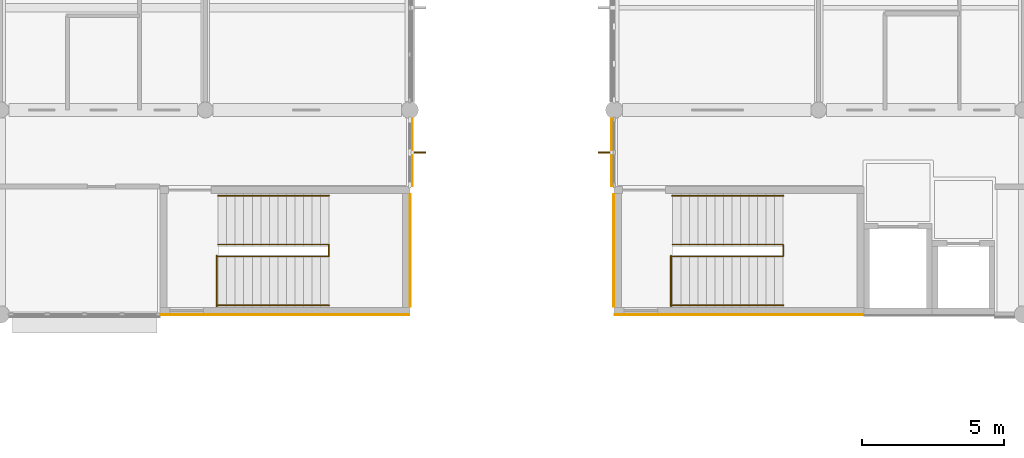
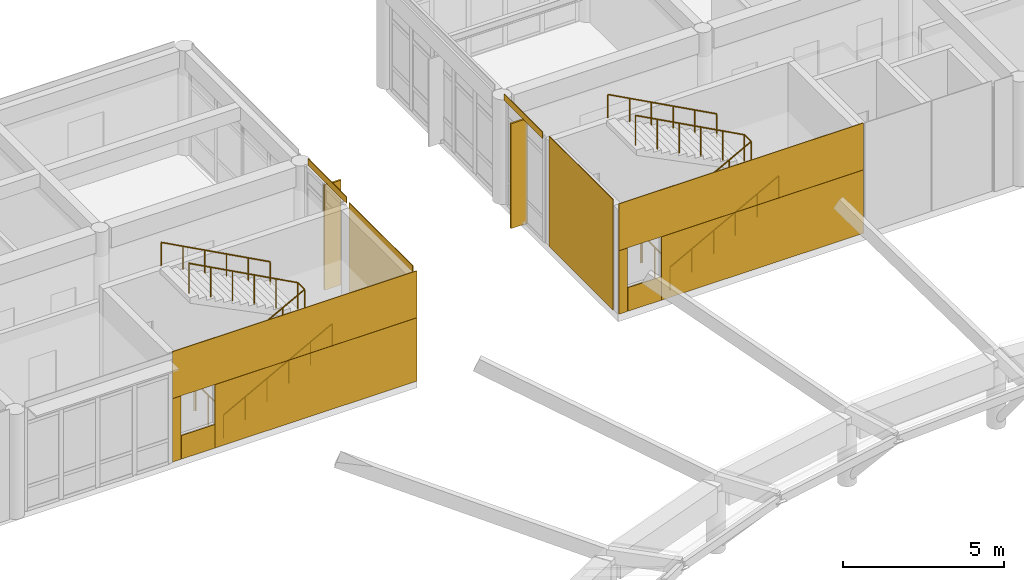
# One storey, part 33 of 37: 12 coverings, 8 railings, 2 shading devices.
"""IFC4 building model written with IfcOpenShell, lengths in metres."""

import ifcopenshell
import ifcopenshell.guid

model = None  # the IFC model being written
_history = None  # IfcOwnerHistory: only IFC2X3 demands one
_inside = {}  # id of a spatial element -> (the spatial element, [elements in it])
_under = {}  # id of a project, library or spatial element -> (it, [spatial elements below it])
_declared = {}  # id of a project -> (the project, [libraries it declares])
_typed = {}  # id of a type object -> (the type object, [elements of that type])
_made_of = {}  # id of a material, layer set ... -> (it, [elements and type objects made of it])


def new_model(schema):
    """Start an empty IFC model of exactly this schema.

    Asked for "IFC4X3", IfcOpenShell would pick the latest addendum, in which some entities
    have other attributes; the version numbers below select the first issue.
    IFC2X3 requires an IfcOwnerHistory on every rooted entity: one is made here for all.
    """
    global model, _history
    if schema == "IFC4X3":
        model = ifcopenshell.file(schema_version=(4, 3, 0, 0))
    else:
        model = ifcopenshell.file(schema=schema)
    _inside.clear()
    _under.clear()
    _declared.clear()
    _typed.clear()
    _made_of.clear()
    _history = None
    if model.schema == "IFC2X3":
        org = make("IfcOrganization", Name="unknown")
        user = make(
            "IfcPersonAndOrganization",
            ThePerson=make("IfcPerson", FamilyName="unknown"),
            TheOrganization=org,
        )
        app = make(
            "IfcApplication",
            ApplicationDeveloper=org,
            Version="unknown",
            ApplicationFullName="unknown",
            ApplicationIdentifier="unknown",
        )
        _history = make(
            "IfcOwnerHistory",
            OwningUser=user,
            OwningApplication=app,
            ChangeAction="ADDED",
            CreationDate=0,
        )
    return model


def make(cls, **values):
    """One entity of the class cls with the attributes given. An attribute that is None is left unset."""
    return model.create_entity(
        cls, **{name: value for name, value in values.items() if value is not None}
    )


def rooted(cls, **values):
    """An entity with a GlobalId (a new one), such as an element, a storey or a relation."""
    return make(cls, GlobalId=ifcopenshell.guid.new(), OwnerHistory=_history, **values)


def si_unit(unit_type, name, prefix=None):
    """IfcSIUnit, for example si_unit("LENGTHUNIT", "METRE", prefix="MILLI")."""
    return make("IfcSIUnit", UnitType=unit_type, Prefix=prefix, Name=name)


def assignment(units):
    """IfcUnitAssignment: the units of a project."""
    return None if units is None else make("IfcUnitAssignment", Units=units)


def point(xyz):
    """IfcCartesianPoint."""
    return None if xyz is None else make("IfcCartesianPoint", Coordinates=xyz)


def direction(xyz):
    """IfcDirection."""
    return None if xyz is None else make("IfcDirection", DirectionRatios=xyz)


def frame(location, z_axis=None, x_axis=None):
    """IfcAxis2Placement3D, a coordinate frame: its origin and axes. An axis left out is left unset."""
    return make(
        "IfcAxis2Placement3D",
        Location=point(location),
        Axis=direction(z_axis),
        RefDirection=direction(x_axis),
    )


def frame_2d(location, x_axis=None):
    """IfcAxis2Placement2D, a coordinate frame in the plane: its origin and x axis."""
    return make(
        "IfcAxis2Placement2D", Location=point(location), RefDirection=direction(x_axis)
    )


def origin():
    """The frame at (0, 0, 0) with its axes left unset."""
    return frame((0.0, 0.0, 0.0))


def origin_2d():
    """The frame at (0, 0) in the plane with its x axis left unset."""
    return frame_2d((0.0, 0.0))


def place(relative_to, where):
    """IfcLocalPlacement: puts the frame where relative to a parent placement (None: the world)."""
    return make(
        "IfcLocalPlacement", PlacementRelTo=relative_to, RelativePlacement=where
    )


def context(
    kind, dimensions, precision=None, world=None, true_north=None, identifier=None
):
    """IfcGeometricRepresentationContext, for example the 3D "Model" context."""
    return make(
        "IfcGeometricRepresentationContext",
        ContextIdentifier=identifier,
        ContextType=kind,
        CoordinateSpaceDimension=dimensions,
        Precision=precision,
        WorldCoordinateSystem=world,
        TrueNorth=true_north,
    )


def subcontext(parent, identifier, kind, view, scale=None):
    """IfcGeometricRepresentationSubContext, for example "Body" below "Model"."""
    return make(
        "IfcGeometricRepresentationSubContext",
        ContextIdentifier=identifier,
        ContextType=kind,
        ParentContext=parent,
        TargetScale=scale,
        TargetView=view,
    )


def project(units=None, contexts=None):
    """IfcProject with its units and contexts."""
    return rooted(
        "IfcProject",
        Name="project",
        RepresentationContexts=contexts,
        UnitsInContext=assignment(units),
    )


def spatial(cls, under=None, at=None, **own):
    """A site, building, storey or space (cls), placed at a placement, below another one or the project."""
    s = rooted(cls, ObjectPlacement=at, **own)
    if under is not None:
        _under.setdefault(under.id(), (under, []))[1].append(s)
    return s


def profile(cls, at=None, kind="AREA", **sizes):
    """A parametric profile (cls). Its sizes go by their IFC names, for example OverallWidth=200.0."""
    return make(cls, ProfileType=kind, Position=at, **sizes)


def rectangle(**sizes):
    """IfcRectangleProfileDef."""
    return profile("IfcRectangleProfileDef", **sizes)


def circle(**sizes):
    """IfcCircleProfileDef."""
    return profile("IfcCircleProfileDef", **sizes)


def extrude(swept, where, along, depth):
    """IfcExtrudedAreaSolid: the profile swept, set in the frame where, extruded along a direction by depth."""
    return make(
        "IfcExtrudedAreaSolid",
        SweptArea=swept,
        Position=where,
        ExtrudedDirection=direction(along),
        Depth=depth,
    )


def shape(context_of_items, identifier, shape_type, items):
    """IfcShapeRepresentation: the items that make up one representation, for example the "Body"."""
    return make(
        "IfcShapeRepresentation",
        ContextOfItems=context_of_items,
        RepresentationIdentifier=identifier,
        RepresentationType=shape_type,
        Items=items,
    )


def material(Name=None, Category=None):
    """IfcMaterial."""
    return make("IfcMaterial", Name=Name, Category=Category)


def layer(
    of_material, thickness, ventilated=None, Name=None, Category=None, Priority=None
):
    """IfcMaterialLayer: one layer of a wall or slab, of a material (None: an air gap)."""
    return make(
        "IfcMaterialLayer",
        Material=of_material,
        LayerThickness=thickness,
        IsVentilated=ventilated,
        Name=Name,
        Category=Category,
        Priority=Priority,
    )


def layer_set(layers, Name=None):
    """IfcMaterialLayerSet."""
    return make("IfcMaterialLayerSet", MaterialLayers=layers, LayerSetName=Name)


def made_of(thing, what):
    """Note that an element or type object is made of a material, layer set ...; save() writes the relation."""
    if what is not None:
        _made_of.setdefault(what.id(), (what, []))[1].append(thing)
    return thing


def type_object(cls, material=None, **own):
    """A type object (cls), such as IfcWallType, which elements share."""
    return made_of(rooted(cls, **own), material)


def element(
    cls,
    number,
    at=None,
    inside=None,
    cuts=None,
    type_object=None,
    material=None,
    context=None,
    identifier="Body",
    shape_type=None,
    held_by="IfcProductDefinitionShape",
    body=None,
    shapes=None,
    **own,
):
    """One element of the class cls, such as IfcWall. Its Tag is "e" and its number.

    at: its placement. inside: the storey or other place that contains it. cuts: it is an
    opening in that element (IfcRelVoidsElement). A single representation is given by context,
    identifier, shape_type and body (its items); several are given by shapes. held_by: the class
    of the entity that holds the representations. save() writes the other relations.
    """
    e = rooted(cls, Tag="e%d" % number, ObjectPlacement=at, **own)
    if body is not None:
        shapes = [shape(context, identifier, shape_type, body)]
    if shapes is not None:
        e.Representation = make(held_by, Representations=shapes)
    if inside is not None:
        _inside.setdefault(inside.id(), (inside, []))[1].append(e)
    if cuts is not None:
        rooted(
            "IfcRelVoidsElement", RelatingBuildingElement=cuts, RelatedOpeningElement=e
        )
    if type_object is not None:
        _typed.setdefault(type_object.id(), (type_object, []))[1].append(e)
    return made_of(e, material)


def aggregate(whole, parts):
    """IfcRelAggregates: a whole, such as a stair, and the parts it consists of."""
    return rooted("IfcRelAggregates", RelatingObject=whole, RelatedObjects=parts)


def save(model, path):
    """Write the relations noted so far, then the file.

    IfcRelAggregates (storeys below a building ...), IfcRelContainedInSpatialStructure (elements
    in a storey), IfcRelDefinesByType, IfcRelAssociatesMaterial and IfcRelDeclares: one each for
    every whole, place, type object, material and project.
    """
    for whole, parts in _under.values():
        aggregate(whole, parts)
    for where, things in _inside.values():
        rooted(
            "IfcRelContainedInSpatialStructure",
            RelatedElements=things,
            RelatingStructure=where,
        )
    for kind, things in _typed.values():
        rooted("IfcRelDefinesByType", RelatedObjects=things, RelatingType=kind)
    for what, things in _made_of.values():
        rooted("IfcRelAssociatesMaterial", RelatedObjects=things, RelatingMaterial=what)
    for by, libraries in _declared.values():
        rooted("IfcRelDeclares", RelatingContext=by, RelatedDefinitions=libraries)
    model.write(path)


model = new_model("IFC4")

# Units and contexts
model_context = context("Model", 3, precision=1e-05, world=origin(), true_north=direction((0.0, 1.0)))
body_context = subcontext(model_context, "Body", "Model", "MODEL_VIEW")
ifc_project = project(units=[si_unit("LENGTHUNIT", "METRE"), si_unit("AREAUNIT", "SQUARE_METRE"), si_unit("VOLUMEUNIT", "CUBIC_METRE"), si_unit("PLANEANGLEUNIT", "RADIAN"), si_unit("MASSUNIT", "GRAM", prefix="KILO")], contexts=[model_context])

# Site, building, storey
site_placement = place(None, origin())
site = spatial("IfcSite", under=ifc_project, at=site_placement, CompositionType="ELEMENT")
building_placement = place(site_placement, origin())
building = spatial("IfcBuilding", under=site, at=building_placement, Name="Namkhue Oval Health Centre", CompositionType="ELEMENT")
storey_placement = place(building_placement, frame((0.0, 0.0, 22.199951171875)))
storey = spatial("IfcBuildingStorey", under=building, at=storey_placement, Name="L05", CompositionType="ELEMENT", Elevation=22.199951171875)

# Railings
ifc_material_1 = material(Name="Brushed stainless steel 316L balustrade with laminated glass infill", Category="steel")
railing_type_1 = type_object("IfcRailingType", Name="INTERIOR BALUSTRADE GUARD 1150", PredefinedType="BALUSTRADE", material=ifc_material_1)
railing_1_placement = place(storey_placement, frame((79.60009765625, 90.2900390625, 0.0)))
element("IfcRailing", 1, at=railing_1_placement, inside=storey, type_object=railing_type_1, Name="Stair ST-04 L05 Landing Well Edge Guard", PredefinedType="BALUSTRADE", context=body_context, shape_type="SweptSolid", body=[
    extrude(circle(Radius=0.02392578125, at=origin_2d()), frame((0.0, 0.0, 1.1259765625), z_axis=(0.0, 1.0, 0.0), x_axis=(-1.0, 0.0, 0.0)), (0.0, 0.0, 1.0), 1.77001953125),
    extrude(circle(Radius=0.02099609375, at=origin_2d()), origin(), (0.0, 0.0, 1.0), 1.101806640625),
    extrude(circle(Radius=0.02099609375, at=origin_2d()), frame((0.0, 0.885009765625, 0.0)), (0.0, 0.0, 1.0), 1.101806640625),
    extrude(circle(Radius=0.02099609375, at=origin_2d()), frame((0.0, 1.77001953125, 0.0)), (0.0, 0.0, 1.0), 1.101806640625),
])
railing_2_placement = place(storey_placement, frame((79.64990234375, 92.0400390625, 0.0)))
element("IfcRailing", 2, at=railing_2_placement, inside=storey, type_object=railing_type_1, Name="Stair ST-04 L05 Inner Well Guard", PredefinedType="BALUSTRADE", context=body_context, shape_type="SweptSolid", body=[
    extrude(circle(Radius=0.02392578125, at=origin_2d()), frame((0.0, 0.0, 1.1259765625), z_axis=(0.880469330154, 0.0, 0.474103109733), x_axis=(0.0, 1.0, 0.0)), (0.0, 0.0, 1.0), 4.4296875),
    extrude(circle(Radius=0.02392578125, at=origin_2d()), frame((3.900146484375, 0.0, 3.22607421875), z_axis=(0.0, 1.0, 0.0), x_axis=(-1.0, 0.0, 0.0)), (0.0, 0.0, 1.0), 0.419921875),
    extrude(circle(Radius=0.02392578125, at=origin_2d()), frame((3.900146484375, 0.419921875, 3.22607421875), z_axis=(-0.88049233674, 0.0, 0.474060381114), x_axis=(0.0, -1.0, 0.0)), (0.0, 0.0, 1.0), 4.429443359375),
    extrude(circle(Radius=0.02099609375, at=origin_2d()), origin(), (0.0, 0.0, 1.0), 1.101806640625),
    extrude(circle(Radius=0.02099609375, at=origin_2d()), frame((0.780029296875, 0.0, 0.419921875)), (0.0, 0.0, 1.0), 1.101806640625),
    extrude(circle(Radius=0.02099609375, at=origin_2d()), frame((1.56005859375, 0.0, 0.840087890625)), (0.0, 0.0, 1.0), 1.101806640625),
    extrude(circle(Radius=0.02099609375, at=origin_2d()), frame((2.340087890625, 0.0, 1.260009765625)), (0.0, 0.0, 1.0), 1.101806640625),
    extrude(circle(Radius=0.02099609375, at=origin_2d()), frame((3.1201171875, 0.0, 1.68017578125)), (0.0, 0.0, 1.0), 1.101806640625),
    extrude(circle(Radius=0.02099609375, at=origin_2d()), frame((3.900146484375, 0.0, 2.10009765625)), (0.0, 0.0, 1.0), 1.101806640625),
    extrude(circle(Radius=0.02099609375, at=origin_2d()), frame((3.900146484375, 0.419921875, 2.10009765625)), (0.0, 0.0, 1.0), 1.101806640625),
    extrude(circle(Radius=0.02099609375, at=origin_2d()), frame((3.1201171875, 0.419921875, 2.52001953125)), (0.0, 0.0, 1.0), 1.101806640625),
    extrude(circle(Radius=0.02099609375, at=origin_2d()), frame((2.340087890625, 0.419921875, 2.93994140625)), (0.0, 0.0, 1.0), 1.101806640625),
    extrude(circle(Radius=0.02099609375, at=origin_2d()), frame((1.56005859375, 0.419921875, 3.360107421875)), (0.0, 0.0, 1.0), 1.101806640625),
    extrude(circle(Radius=0.02099609375, at=origin_2d()), frame((0.780029296875, 0.419921875, 3.780029296875)), (0.0, 0.0, 1.0), 1.101806640625),
    extrude(circle(Radius=0.02099609375, at=origin_2d()), frame((0.0, 0.419921875, 4.199951171875)), (0.0, 0.0, 1.0), 1.101806640625),
])
railing_3_placement = place(storey_placement, frame((95.60009765625, 90.2900390625, 0.0)))
element("IfcRailing", 3, at=railing_3_placement, inside=storey, type_object=railing_type_1, Name="Stair ST-05 L05 Landing Well Edge Guard", PredefinedType="BALUSTRADE", context=body_context, shape_type="SweptSolid", body=[
    extrude(circle(Radius=0.02392578125, at=origin_2d()), frame((0.0, 0.0, 1.1259765625), z_axis=(0.0, 1.0, 0.0), x_axis=(-1.0, 0.0, 0.0)), (0.0, 0.0, 1.0), 1.77001953125),
    extrude(circle(Radius=0.02099609375, at=origin_2d()), origin(), (0.0, 0.0, 1.0), 1.101806640625),
    extrude(circle(Radius=0.02099609375, at=origin_2d()), frame((0.0, 0.885009765625, 0.0)), (0.0, 0.0, 1.0), 1.101806640625),
    extrude(circle(Radius=0.02099609375, at=origin_2d()), frame((0.0, 1.77001953125, 0.0)), (0.0, 0.0, 1.0), 1.101806640625),
])
railing_4_placement = place(storey_placement, frame((95.64990234375, 92.0400390625, 0.0)))
element("IfcRailing", 4, at=railing_4_placement, inside=storey, type_object=railing_type_1, Name="Stair ST-05 L05 Inner Well Guard", PredefinedType="BALUSTRADE", context=body_context, shape_type="SweptSolid", body=[
    extrude(circle(Radius=0.02392578125, at=origin_2d()), frame((0.0, 0.0, 1.1259765625), z_axis=(0.880469330154, 0.0, 0.474103109733), x_axis=(0.0, 1.0, 0.0)), (0.0, 0.0, 1.0), 4.4296875),
    extrude(circle(Radius=0.02392578125, at=origin_2d()), frame((3.900146484375, 0.0, 3.22607421875), z_axis=(0.0, 1.0, 0.0), x_axis=(-1.0, 0.0, 0.0)), (0.0, 0.0, 1.0), 0.419921875),
    extrude(circle(Radius=0.02392578125, at=origin_2d()), frame((3.900146484375, 0.419921875, 3.22607421875), z_axis=(-0.88049233674, 0.0, 0.474060381114), x_axis=(0.0, -1.0, 0.0)), (0.0, 0.0, 1.0), 4.429443359375),
    extrude(circle(Radius=0.02099609375, at=origin_2d()), origin(), (0.0, 0.0, 1.0), 1.101806640625),
    extrude(circle(Radius=0.02099609375, at=origin_2d()), frame((0.780029296875, 0.0, 0.419921875)), (0.0, 0.0, 1.0), 1.101806640625),
    extrude(circle(Radius=0.02099609375, at=origin_2d()), frame((1.56005859375, 0.0, 0.840087890625)), (0.0, 0.0, 1.0), 1.101806640625),
    extrude(circle(Radius=0.02099609375, at=origin_2d()), frame((2.340087890625, 0.0, 1.260009765625)), (0.0, 0.0, 1.0), 1.101806640625),
    extrude(circle(Radius=0.02099609375, at=origin_2d()), frame((3.1201171875, 0.0, 1.68017578125)), (0.0, 0.0, 1.0), 1.101806640625),
    extrude(circle(Radius=0.02099609375, at=origin_2d()), frame((3.900146484375, 0.0, 2.10009765625)), (0.0, 0.0, 1.0), 1.101806640625),
    extrude(circle(Radius=0.02099609375, at=origin_2d()), frame((3.900146484375, 0.419921875, 2.10009765625)), (0.0, 0.0, 1.0), 1.101806640625),
    extrude(circle(Radius=0.02099609375, at=origin_2d()), frame((3.1201171875, 0.419921875, 2.52001953125)), (0.0, 0.0, 1.0), 1.101806640625),
    extrude(circle(Radius=0.02099609375, at=origin_2d()), frame((2.340087890625, 0.419921875, 2.93994140625)), (0.0, 0.0, 1.0), 1.101806640625),
    extrude(circle(Radius=0.02099609375, at=origin_2d()), frame((1.56005859375, 0.419921875, 3.360107421875)), (0.0, 0.0, 1.0), 1.101806640625),
    extrude(circle(Radius=0.02099609375, at=origin_2d()), frame((0.780029296875, 0.419921875, 3.780029296875)), (0.0, 0.0, 1.0), 1.101806640625),
    extrude(circle(Radius=0.02099609375, at=origin_2d()), frame((0.0, 0.419921875, 4.199951171875)), (0.0, 0.0, 1.0), 1.101806640625),
])
ifc_material_2 = material(Name="Brushed stainless steel 304 tubular handrail", Category="steel")
railing_type_2 = type_object("IfcRailingType", Name="INTERIOR STAIR HANDRAIL 900", PredefinedType="HANDRAIL", material=ifc_material_2)
railing_5_placement = place(storey_placement, frame((79.64990234375, 90.320068359375, 0.0)))
element("IfcRailing", 5, at=railing_5_placement, inside=storey, type_object=railing_type_2, Name="Stair ST-04 L05 Flight 1 Handrail", PredefinedType="HANDRAIL", context=body_context, shape_type="SweptSolid", body=[
    extrude(circle(Radius=0.02392578125, at=origin_2d()), frame((0.0, 0.0, 0.8759765625), z_axis=(0.880469330154, 0.0, 0.474103109733), x_axis=(0.0, 1.0, 0.0)), (0.0, 0.0, 1.0), 4.4296875),
    extrude(circle(Radius=0.02099609375, at=origin_2d()), origin(), (0.0, 0.0, 1.0), 0.851806640625),
    extrude(circle(Radius=0.02099609375, at=origin_2d()), frame((0.780029296875, 0.0, 0.419921875)), (0.0, 0.0, 1.0), 0.851806640625),
    extrude(circle(Radius=0.02099609375, at=origin_2d()), frame((1.56005859375, 0.0, 0.840087890625)), (0.0, 0.0, 1.0), 0.851806640625),
    extrude(circle(Radius=0.02099609375, at=origin_2d()), frame((2.340087890625, 0.0, 1.260009765625)), (0.0, 0.0, 1.0), 0.851806640625),
    extrude(circle(Radius=0.02099609375, at=origin_2d()), frame((3.1201171875, 0.0, 1.68017578125)), (0.0, 0.0, 1.0), 0.851806640625),
    extrude(circle(Radius=0.02099609375, at=origin_2d()), frame((3.900146484375, 0.0, 2.10009765625)), (0.0, 0.0, 1.0), 0.851806640625),
])
railing_6_placement = place(storey_placement, frame((83.550048828125, 94.179931640625, 2.10009765625)))
element("IfcRailing", 6, at=railing_6_placement, inside=storey, type_object=railing_type_2, Name="Stair ST-04 L05 Flight 2 Handrail", PredefinedType="HANDRAIL", context=body_context, shape_type="SweptSolid", body=[
    extrude(circle(Radius=0.02392578125, at=origin_2d()), frame((0.0, 0.0, 0.8759765625), z_axis=(-0.88049233674, 0.0, 0.474060381114), x_axis=(0.0, -1.0, 0.0)), (0.0, 0.0, 1.0), 4.429443359375),
    extrude(circle(Radius=0.02099609375, at=origin_2d()), origin(), (0.0, 0.0, 1.0), 0.851806640625),
    extrude(circle(Radius=0.02099609375, at=origin_2d()), frame((-0.780029296875, 0.0, 0.419921875)), (0.0, 0.0, 1.0), 0.851806640625),
    extrude(circle(Radius=0.02099609375, at=origin_2d()), frame((-1.56005859375, 0.0, 0.83984375)), (0.0, 0.0, 1.0), 0.851806640625),
    extrude(circle(Radius=0.02099609375, at=origin_2d()), frame((-2.340087890625, 0.0, 1.260009765625)), (0.0, 0.0, 1.0), 0.851806640625),
    extrude(circle(Radius=0.02099609375, at=origin_2d()), frame((-3.1201171875, 0.0, 1.679931640625)), (0.0, 0.0, 1.0), 0.851806640625),
    extrude(circle(Radius=0.02099609375, at=origin_2d()), frame((-3.900146484375, 0.0, 2.099853515625)), (0.0, 0.0, 1.0), 0.851806640625),
])
railing_7_placement = place(storey_placement, frame((95.64990234375, 90.320068359375, 0.0)))
element("IfcRailing", 7, at=railing_7_placement, inside=storey, type_object=railing_type_2, Name="Stair ST-05 L05 Flight 1 Handrail", PredefinedType="HANDRAIL", context=body_context, shape_type="SweptSolid", body=[
    extrude(circle(Radius=0.02392578125, at=origin_2d()), frame((0.0, 0.0, 0.8759765625), z_axis=(0.880469330154, 0.0, 0.474103109733), x_axis=(0.0, 1.0, 0.0)), (0.0, 0.0, 1.0), 4.4296875),
    extrude(circle(Radius=0.02099609375, at=origin_2d()), origin(), (0.0, 0.0, 1.0), 0.851806640625),
    extrude(circle(Radius=0.02099609375, at=origin_2d()), frame((0.780029296875, 0.0, 0.419921875)), (0.0, 0.0, 1.0), 0.851806640625),
    extrude(circle(Radius=0.02099609375, at=origin_2d()), frame((1.56005859375, 0.0, 0.840087890625)), (0.0, 0.0, 1.0), 0.851806640625),
    extrude(circle(Radius=0.02099609375, at=origin_2d()), frame((2.340087890625, 0.0, 1.260009765625)), (0.0, 0.0, 1.0), 0.851806640625),
    extrude(circle(Radius=0.02099609375, at=origin_2d()), frame((3.1201171875, 0.0, 1.68017578125)), (0.0, 0.0, 1.0), 0.851806640625),
    extrude(circle(Radius=0.02099609375, at=origin_2d()), frame((3.900146484375, 0.0, 2.10009765625)), (0.0, 0.0, 1.0), 0.851806640625),
])
railing_8_placement = place(storey_placement, frame((99.550048828125, 94.179931640625, 2.10009765625)))
element("IfcRailing", 8, at=railing_8_placement, inside=storey, type_object=railing_type_2, Name="Stair ST-05 L05 Flight 2 Handrail", PredefinedType="HANDRAIL", context=body_context, shape_type="SweptSolid", body=[
    extrude(circle(Radius=0.02392578125, at=origin_2d()), frame((0.0, 0.0, 0.8759765625), z_axis=(-0.88049233674, 0.0, 0.474060381114), x_axis=(0.0, -1.0, 0.0)), (0.0, 0.0, 1.0), 4.429443359375),
    extrude(circle(Radius=0.02099609375, at=origin_2d()), origin(), (0.0, 0.0, 1.0), 0.851806640625),
    extrude(circle(Radius=0.02099609375, at=origin_2d()), frame((-0.780029296875, 0.0, 0.419921875)), (0.0, 0.0, 1.0), 0.851806640625),
    extrude(circle(Radius=0.02099609375, at=origin_2d()), frame((-1.56005859375, 0.0, 0.83984375)), (0.0, 0.0, 1.0), 0.851806640625),
    extrude(circle(Radius=0.02099609375, at=origin_2d()), frame((-2.340087890625, 0.0, 1.260009765625)), (0.0, 0.0, 1.0), 0.851806640625),
    extrude(circle(Radius=0.02099609375, at=origin_2d()), frame((-3.1201171875, 0.0, 1.679931640625)), (0.0, 0.0, 1.0), 0.851806640625),
    extrude(circle(Radius=0.02099609375, at=origin_2d()), frame((-3.900146484375, 0.0, 2.099853515625)), (0.0, 0.0, 1.0), 0.851806640625),
])

# Shading devices
ifc_material_3 = material(Name="Anodised aluminium EN AW-6063 T6", Category="aluminium")
shading_device_type = type_object("IfcShadingDeviceType", Name="VERTICAL SOLAR FIN 600", PredefinedType="USERDEFINED", material=ifc_material_3)
shading_device_1_placement = place(storey_placement, frame((86.659912109375, 95.70361328125, 0.0), z_axis=(0.0, 0.0, 1.0), x_axis=(1.0, 0.0, 0.0)))
element("IfcShadingDevice", 9, at=shading_device_1_placement, inside=storey, type_object=shading_device_type, Name="Volume V2 L05 Extruded Aluminium Solar Fin 110", ObjectType="SOLAR FIN", PredefinedType="USERDEFINED", context=body_context, shape_type="SweptSolid", body=[
    extrude(rectangle(XDim=0.60009765625, YDim=0.06005859375, at=origin_2d()), origin(), (0.0, 0.0, 1.0), 3.97509765625),
])
shading_device_2_placement = place(storey_placement, frame((93.340087890625, 95.70361328125, 0.0), z_axis=(0.0, 0.0, 1.0), x_axis=(-1.0, 0.0, 0.0)))
element("IfcShadingDevice", 10, at=shading_device_2_placement, inside=storey, type_object=shading_device_type, Name="Volume V3 L05 Extruded Aluminium Solar Fin 179", ObjectType="SOLAR FIN", PredefinedType="USERDEFINED", context=body_context, shape_type="SweptSolid", body=[
    extrude(rectangle(XDim=0.60009765625, YDim=0.06005859375, at=origin_2d()), origin(), (0.0, 0.0, 1.0), 3.969970703125),
])

# Coverings
ifc_material_4 = material(Name="White glass-fibre reinforced concrete GRC rainscreen cladding", Category="concrete")
ifc_layer = layer(ifc_material_4, 0.02490234375)
ifc_layer_set = layer_set([ifc_layer], Name="White glass-fibre reinforced concrete GRC rainscreen cladding")
covering_type = type_object("IfcCoveringType", Name="WHITE GRC RAINSCREEN CLADDING 25", PredefinedType="CLADDING", material=ifc_layer_set)
covering_1_placement = place(storey_placement, frame((86.488525390625, 95.70361328125, 3.9599609375), z_axis=(0.0, 0.0, 1.0), x_axis=(0.0, 1.0, 0.0)))
element("IfcCovering", 11, at=covering_1_placement, inside=storey, type_object=covering_type, Name="Volume V2 L05 Curtain Wall Spandrel Cladding 86", PredefinedType="CLADDING", context=body_context, shape_type="SweptSolid", body=[
    extrude(rectangle(XDim=2.39306640625, YDim=0.02490234375, at=origin_2d()), origin(), (0.0, 0.0, 1.0), 0.239990234375),
])
covering_2_placement = place(storey_placement, frame((93.511474609375, 95.70361328125, 3.955078125), z_axis=(0.0, 0.0, 1.0), x_axis=(0.0, -1.0, 0.0)))
element("IfcCovering", 12, at=covering_2_placement, inside=storey, type_object=covering_type, Name="Volume V3 L05 Curtain Wall Spandrel Cladding 135", PredefinedType="CLADDING", context=body_context, shape_type="SweptSolid", body=[
    extrude(rectangle(XDim=2.39306640625, YDim=0.02490234375, at=origin_2d()), origin(), (0.0, 0.0, 1.0), 0.2451171875),
])
covering_3_placement = place(storey_placement, frame((82.0, 89.988037109375, 2.4150390625), z_axis=(0.0, 0.0, 1.0), x_axis=(1.0, 0.0, 0.0)))
element("IfcCovering", 13, at=covering_3_placement, inside=storey, type_object=covering_type, Name="Core SC-04 L05 Core S White GRC Cladding 1", PredefinedType="CLADDING", context=body_context, shape_type="SweptSolid", body=[
    extrude(rectangle(XDim=8.760009765625, YDim=0.02490234375, at=origin_2d()), origin(), (0.0, 0.0, 1.0), 1.77490234375),
])
covering_4_placement = place(storey_placement, frame((77.777587890625, 89.988037109375, 0.010009765625), z_axis=(0.0, 0.0, 1.0), x_axis=(1.0, 0.0, 0.0)))
element("IfcCovering", 14, at=covering_4_placement, inside=storey, type_object=covering_type, Name="Core SC-04 L05 Core S White GRC Cladding 2", PredefinedType="CLADDING", context=body_context, shape_type="SweptSolid", body=[
    extrude(rectangle(XDim=0.31494140625, YDim=0.02490234375, at=origin_2d()), origin(), (0.0, 0.0, 1.0), 2.39990234375),
])
covering_5_placement = place(storey_placement, frame((78.5400390625, 89.988037109375, 0.010009765625), z_axis=(0.0, 0.0, 1.0), x_axis=(1.0, 0.0, 0.0)))
element("IfcCovering", 15, at=covering_5_placement, inside=storey, type_object=covering_type, Name="Core SC-04 L05 Core S White GRC Cladding 3", PredefinedType="CLADDING", context=body_context, shape_type="SweptSolid", body=[
    extrude(rectangle(XDim=1.199951171875, YDim=0.02490234375, at=origin_2d()), origin(), (0.0, 0.0, 1.0), 0.89501953125),
])
covering_6_placement = place(storey_placement, frame((82.762451171875, 89.988037109375, 0.010009765625), z_axis=(0.0, 0.0, 1.0), x_axis=(1.0, 0.0, 0.0)))
element("IfcCovering", 16, at=covering_6_placement, inside=storey, type_object=covering_type, Name="Core SC-04 L05 Core S White GRC Cladding 4", PredefinedType="CLADDING", context=body_context, shape_type="SweptSolid", body=[
    extrude(rectangle(XDim=7.235107421875, YDim=0.02490234375, at=origin_2d()), origin(), (0.0, 0.0, 1.0), 2.39990234375),
])
covering_7_placement = place(storey_placement, frame((86.412109375, 92.25, 0.01025390625), z_axis=(0.0, 0.0, 1.0), x_axis=(0.0, 1.0, 0.0)))
element("IfcCovering", 17, at=covering_7_placement, inside=storey, type_object=covering_type, Name="Core SC-04 L05 Core E White GRC Cladding 1", PredefinedType="CLADDING", context=body_context, shape_type="SweptSolid", body=[
    extrude(rectangle(XDim=3.9599609375, YDim=0.02490234375, at=origin_2d()), origin(), (0.0, 0.0, 1.0), 4.179931640625),
])
covering_8_placement = place(storey_placement, frame((98.0, 89.988037109375, 2.4150390625), z_axis=(0.0, 0.0, 1.0), x_axis=(1.0, 0.0, 0.0)))
element("IfcCovering", 18, at=covering_8_placement, inside=storey, type_object=covering_type, Name="Core SC-05 L05 Core S White GRC Cladding 1", PredefinedType="CLADDING", context=body_context, shape_type="SweptSolid", body=[
    extrude(rectangle(XDim=8.760009765625, YDim=0.02490234375, at=origin_2d()), origin(), (0.0, 0.0, 1.0), 1.77490234375),
])
covering_9_placement = place(storey_placement, frame((93.777587890625, 89.988037109375, 0.010009765625), z_axis=(0.0, 0.0, 1.0), x_axis=(1.0, 0.0, 0.0)))
element("IfcCovering", 19, at=covering_9_placement, inside=storey, type_object=covering_type, Name="Core SC-05 L05 Core S White GRC Cladding 2", PredefinedType="CLADDING", context=body_context, shape_type="SweptSolid", body=[
    extrude(rectangle(XDim=0.31494140625, YDim=0.02490234375, at=origin_2d()), origin(), (0.0, 0.0, 1.0), 2.39990234375),
])
covering_10_placement = place(storey_placement, frame((94.5400390625, 89.988037109375, 0.010009765625), z_axis=(0.0, 0.0, 1.0), x_axis=(1.0, 0.0, 0.0)))
element("IfcCovering", 20, at=covering_10_placement, inside=storey, type_object=covering_type, Name="Core SC-05 L05 Core S White GRC Cladding 3", PredefinedType="CLADDING", context=body_context, shape_type="SweptSolid", body=[
    extrude(rectangle(XDim=1.199951171875, YDim=0.02490234375, at=origin_2d()), origin(), (0.0, 0.0, 1.0), 0.89501953125),
])
covering_11_placement = place(storey_placement, frame((98.762451171875, 89.988037109375, 0.010009765625), z_axis=(0.0, 0.0, 1.0), x_axis=(1.0, 0.0, 0.0)))
element("IfcCovering", 21, at=covering_11_placement, inside=storey, type_object=covering_type, Name="Core SC-05 L05 Core S White GRC Cladding 4", PredefinedType="CLADDING", context=body_context, shape_type="SweptSolid", body=[
    extrude(rectangle(XDim=7.235107421875, YDim=0.02490234375, at=origin_2d()), origin(), (0.0, 0.0, 1.0), 2.39990234375),
])
covering_12_placement = place(storey_placement, frame((93.587890625, 92.25, 0.01025390625), z_axis=(0.0, 0.0, 1.0), x_axis=(0.0, -1.0, 0.0)))
element("IfcCovering", 22, at=covering_12_placement, inside=storey, type_object=covering_type, Name="Core SC-05 L05 Core W White GRC Cladding 1", PredefinedType="CLADDING", context=body_context, shape_type="SweptSolid", body=[
    extrude(rectangle(XDim=3.9599609375, YDim=0.02490234375, at=origin_2d()), origin(), (0.0, 0.0, 1.0), 4.179931640625),
])

save(model, "model.ifc")
